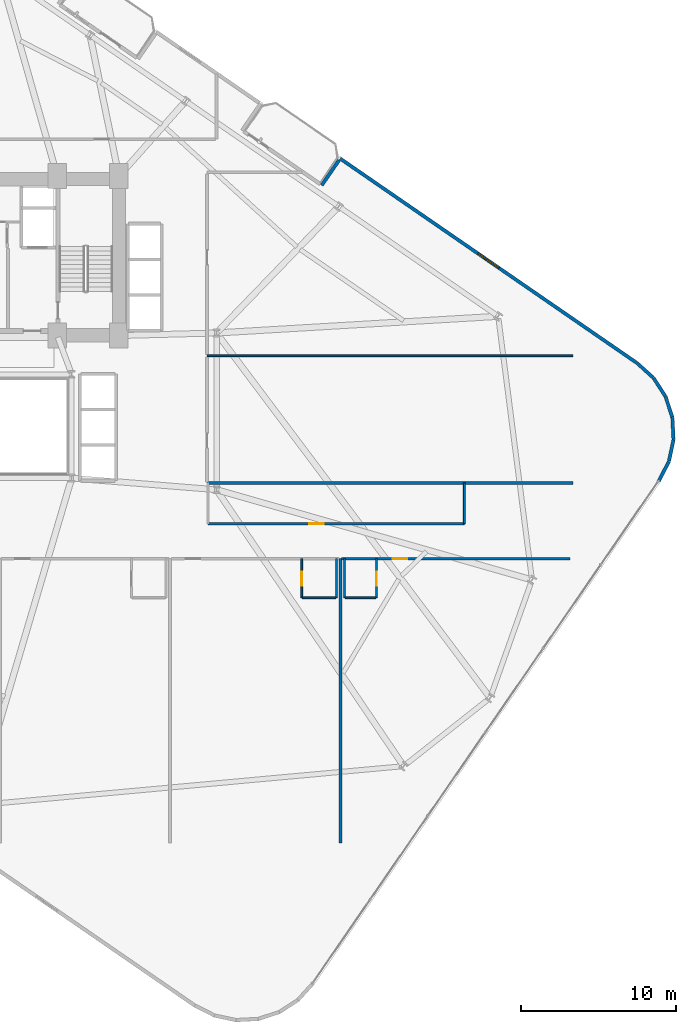
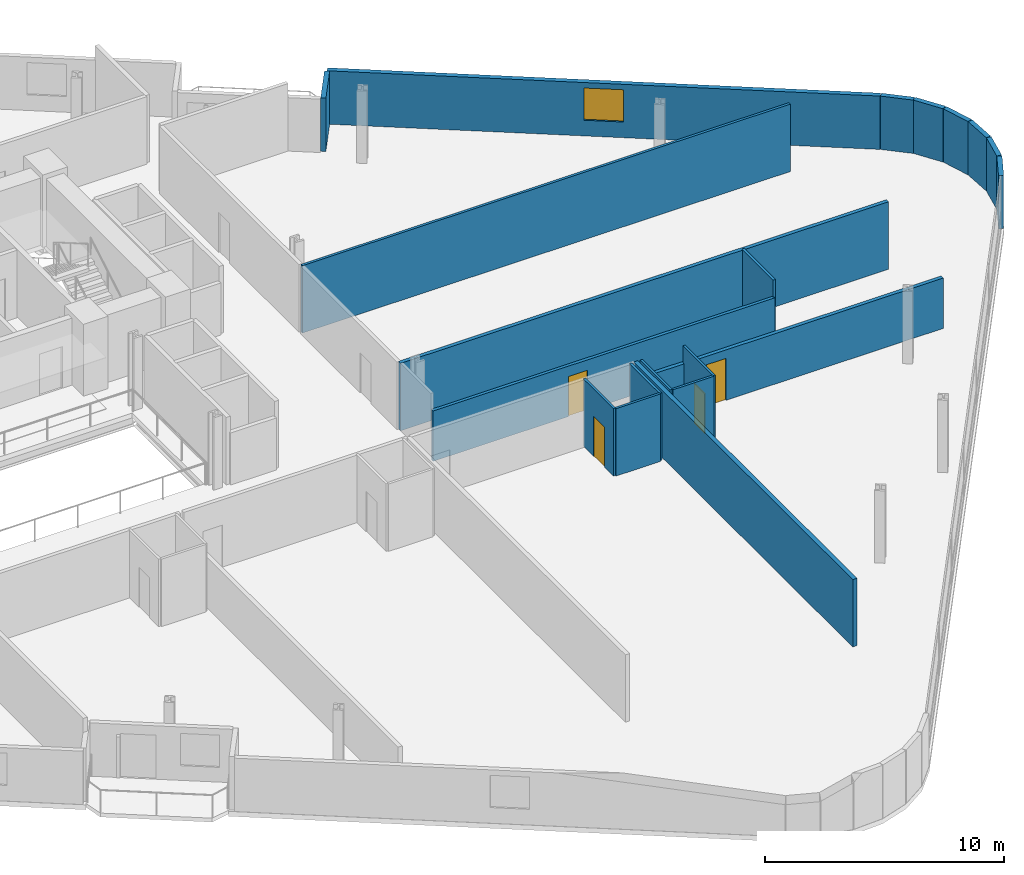
# One storey, part 20 of 24: 20 walls, 4 doors, 1 window, 5 openings.
"""IFC4 building model written with IfcOpenShell, lengths in metres."""

from ifc_helpers import new_model, si_unit, direction, frame, frame_2d, origin, place, context, subcontext, project, spatial, rectangle, extrude, material, layer, layer_set, type_object, element, fill, save


model = new_model("IFC4")

# Units and contexts
model_context = context("Model", 3, precision=1e-05, world=origin(), true_north=direction((0.0, 1.0)))
body_context = subcontext(model_context, "Body", "Model", "MODEL_VIEW")
ifc_project = project(units=[si_unit("LENGTHUNIT", "METRE"), si_unit("AREAUNIT", "SQUARE_METRE"), si_unit("VOLUMEUNIT", "CUBIC_METRE"), si_unit("PLANEANGLEUNIT", "RADIAN"), si_unit("MASSUNIT", "GRAM", prefix="KILO")], contexts=[model_context])

# Site, building, storey
site_placement = place(None, origin())
site = spatial("IfcSite", under=ifc_project, at=site_placement, CompositionType="ELEMENT")
building_placement = place(site_placement, origin())
building = spatial("IfcBuilding", under=site, at=building_placement, Name="Varnelok Gate Tower", CompositionType="ELEMENT")
storey_placement = place(building_placement, frame((0.0, 0.0, 38.10009765625)))
storey = spatial("IfcBuildingStorey", under=building, at=storey_placement, Name="L08", CompositionType="ELEMENT", Elevation=38.10009765625)

# Walls
ifc_material_1 = material(Name="Concrete C45/55", Category="concrete")
ifc_layer_1 = layer(ifc_material_1, 0.219970703125)
ifc_layer_set_1 = layer_set([ifc_layer_1], Name="Concrete C45/55")
wall_type_1 = type_object("IfcWallType", Name="EW-BALC-220", PredefinedType="SOLIDWALL", material=ifc_layer_set_1)
wall_1_placement = place(storey_placement, frame((82.55810546875, 19.355224609375, 0.0), z_axis=(0.0, 0.0, 1.0), x_axis=(0.454777156549, 0.890605264908, 0.0)))
element("IfcWall", 1, at=wall_1_placement, inside=storey, type_object=wall_type_1, Name="L08 Perimeter Facade Closure Wall 20", PredefinedType="SOLIDWALL", context=body_context, shape_type="SweptSolid", body=[
    extrude(rectangle(XDim=1.43017578125, YDim=0.219970703125, at=frame_2d((0.715087890625, 0.0))), origin(), (0.0, 0.0, 1.0), 2.72998046875),
])
wall_2_placement = place(storey_placement, frame((83.2138671875, 20.653564453125, 0.0), z_axis=(0.0, 0.0, 1.0), x_axis=(0.208829011645, 0.977952168511, 0.0)))
element("IfcWall", 2, at=wall_2_placement, inside=storey, type_object=wall_type_1, Name="L08 Perimeter Facade Closure Wall 21", PredefinedType="SOLIDWALL", context=body_context, shape_type="SweptSolid", body=[
    extrude(rectangle(XDim=1.4052734375, YDim=0.219970703125, at=frame_2d((0.70263671875, 0.0))), origin(), (0.0, 0.0, 1.0), 2.72998046875),
])
wall_3_placement = place(storey_placement, frame((83.506103515625, 22.052734375, 0.0), z_axis=(0.0, 0.0, 1.0), x_axis=(-0.051245849735, 0.998686068234, 0.0)))
element("IfcWall", 3, at=wall_3_placement, inside=storey, type_object=wall_type_1, Name="L08 Perimeter Facade Closure Wall 22", PredefinedType="SOLIDWALL", context=body_context, shape_type="SweptSolid", body=[
    extrude(rectangle(XDim=1.405517578125, YDim=0.219970703125, at=frame_2d((0.70263671875, 0.0))), origin(), (0.0, 0.0, 1.0), 2.72998046875),
])
for number, where, z_axis, x_axis, name in (
    (4, (83.426513671875, 23.47998046875, 0.0), (0.0, 0.0, 1.0), (-0.308033059501, 0.951375653596, 0.0), "L08 Perimeter Facade Closure Wall 23"),
    (5, (82.97998046875, 24.837890625, 0.0), (0.0, 0.0, 1.0), (-0.543748195851, 0.839248413468, 0.0), "L08 Perimeter Facade Closure Wall 24"),
):
    element("IfcWall", number, at=place(storey_placement, frame(where, z_axis=z_axis, x_axis=x_axis)), inside=storey, type_object=wall_type_1, Name=name, PredefinedType="SOLIDWALL", context=body_context, shape_type="SweptSolid", body=[
        extrude(rectangle(XDim=1.4052734375, YDim=0.219970703125, at=frame_2d((0.70263671875, 0.0))), origin(), (0.0, 0.0, 1.0), 2.72998046875),
    ])
wall_4_placement = place(storey_placement, frame((82.197265625, 26.033935546875, 0.0), z_axis=(0.0, 0.0, 1.0), x_axis=(-0.742374254638, 0.669985422268, 0.0)))
element("IfcWall", 6, at=wall_4_placement, inside=storey, type_object=wall_type_1, Name="L08 Perimeter Facade Closure Wall 25", PredefinedType="SOLIDWALL", context=body_context, shape_type="SweptSolid", body=[
    extrude(rectangle(XDim=1.4130859375, YDim=0.219970703125, at=frame_2d((0.70654296875, 0.0))), origin(), (0.0, 0.0, 1.0), 2.72998046875),
])

# Wall, opening, window
wall_5_placement = place(storey_placement, frame((81.12744140625, 26.994873046875, 0.0), z_axis=(0.0, 0.0, 1.0), x_axis=(-0.823530169317, 0.567272474411, 0.0)))
wall_5 = element("IfcWall", 7, at=wall_5_placement, inside=storey, type_object=wall_type_1, Name="L08 Perimeter Facade Closure Wall 26", PredefinedType="SOLIDWALL", context=body_context, shape_type="SweptSolid", body=[
    extrude(rectangle(XDim=23.247314453125, YDim=0.219970703125, at=frame_2d((11.62353515625, 0.0))), origin(), (0.0, 0.0, 1.0), 2.72998046875),
])
opening_1_placement = place(wall_5_placement, frame((10.798583984375, 0.0, 0.800048828125)))
opening_1 = element("IfcOpeningElement", 8, at=opening_1_placement, cuts=wall_5, Name="Opening WN3", PredefinedType="OPENING", context=body_context, shape_type="SweptSolid", body=[
    extrude(rectangle(XDim=1.64990234375, YDim=1.64990234375, at=frame_2d((0.824951171875, 0.824951171875))), frame((0.0, 0.119873046875, 0.0), z_axis=(0.0, -1.0, 0.0), x_axis=(1.0, 0.0, 0.0)), (0.0, 0.0, 1.0), 0.239990234375),
])
ifc_material_2 = material(Name="Low-E Laminated Double Glazing IGU", Category="glass")
window_type = type_object("IfcWindowType", Name="WN-HTL-1650", PartitioningType="SINGLE_PANEL", PredefinedType="WINDOW", material=ifc_material_2)
window_placement = place(opening_1_placement, origin())
window = element("IfcWindow", 9, at=window_placement, inside=storey, type_object=window_type, Name="L08 Perimeter Vision Window 26", OverallHeight=1.64990234375, OverallWidth=1.64990234375, PartitioningType="SINGLE_PANEL", PredefinedType="WINDOW", context=body_context, shape_type="SweptSolid", body=[
    extrude(rectangle(XDim=1.64990234375, YDim=1.64990234375, at=frame_2d((0.824951171875, 0.824951171875))), frame((0.0, 0.030029296875, 0.0), z_axis=(0.0, -1.0, 0.0), x_axis=(1.0, 0.0, 0.0)), (0.0, 0.0, 1.0), 0.06005859375),
])
fill(opening_1, window)

# Wall
wall_6_placement = place(storey_placement, frame((61.91162109375, 40.079345703125, 0.0), z_axis=(0.0, 0.0, 1.0), x_axis=(-0.567189720735, -0.82358716642, 0.0)))
element("IfcWall", 10, at=wall_6_placement, inside=storey, type_object=wall_type_1, Name="L08 Perimeter Facade Closure Wall 27", PredefinedType="SOLIDWALL", context=body_context, shape_type="SweptSolid", body=[
    extrude(rectangle(XDim=1.974853515625, YDim=0.219970703125, at=frame_2d((0.9873046875, 0.0))), origin(), (0.0, 0.0, 1.0), 2.72998046875),
])

# Wall, opening, door
ifc_material_3 = material(Name="Gypsum Plasterboard Acoustic Partition", Category="gypsum")
ifc_layer_2 = layer(ifc_material_3, 0.179931640625)
ifc_layer_set_2 = layer_set([ifc_layer_2], Name="Gypsum Plasterboard Acoustic Partition")
wall_type_2 = type_object("IfcWallType", Name="PW-CORR-180", PredefinedType="PARTITIONING", material=ifc_layer_set_2)
wall_7_placement = place(storey_placement, frame((62.080078125, 14.35009765625, 0.0), z_axis=(0.0, 0.0, 1.0), x_axis=(1.0, 0.0, 0.0)))
wall_7 = element("IfcWall", 11, at=wall_7_placement, inside=storey, type_object=wall_type_2, Name="Interior Partition", PredefinedType="PARTITIONING", context=body_context, shape_type="SweptSolid", body=[
    extrude(rectangle(XDim=14.739990234375, YDim=0.179931640625, at=frame_2d((7.3701171875, 0.0))), origin(), (0.0, 0.0, 1.0), 2.579833984375),
])
opening_2_placement = place(wall_7_placement, frame((3.283935546875, 0.0, 0.0)))
opening_2 = element("IfcOpeningElement", 12, at=opening_2_placement, cuts=wall_7, Name="Opening D-HT", PredefinedType="OPENING", context=body_context, shape_type="SweptSolid", body=[
    extrude(rectangle(XDim=0.949951171875, YDim=2.14990234375, at=frame_2d((0.47509765625, 1.074951171875))), frame((0.0, 0.099853515625, 0.0), z_axis=(0.0, -1.0, 0.0), x_axis=(1.0, 0.0, 0.0)), (0.0, 0.0, 1.0), 0.199951171875),
])
ifc_material_4 = material(Name="Engineered Hardwood Timber", Category="wood")
door_type_1 = type_object("IfcDoorType", Name="DR-HTL-950", OperationType="NOTDEFINED", PredefinedType="DOOR", material=ifc_material_4)
door_1_placement = place(opening_2_placement, origin())
door_1 = element("IfcDoor", 13, at=door_1_placement, inside=storey, type_object=door_type_1, Name="L08 Guest Room 06 Entrance Door", OperationType="SINGLE_SWING_LEFT", OverallHeight=2.14990234375, OverallWidth=0.949951171875, PredefinedType="DOOR", context=body_context, shape_type="SweptSolid", body=[
    extrude(rectangle(XDim=0.949951171875, YDim=2.14990234375, at=frame_2d((0.47509765625, 1.074951171875))), frame((0.0, 0.02490234375, 0.0), z_axis=(0.0, -1.0, 0.0), x_axis=(1.0, 0.0, 0.0)), (0.0, 0.0, 1.0), 0.050048828125),
])
fill(opening_2, door_1)

# Walls
wall_8_placement = place(storey_placement, frame((53.389892578125, 19.239990234375, 0.0), z_axis=(0.0, 0.0, 1.0), x_axis=(1.0, 0.0, 0.0)))
element("IfcWall", 14, at=wall_8_placement, inside=storey, type_object=wall_type_2, Name="Interior Partition", PredefinedType="PARTITIONING", context=body_context, shape_type="SweptSolid", body=[
    extrude(rectangle(XDim=23.610107421875, YDim=0.179931640625, at=frame_2d((11.80517578125, 0.0))), origin(), (0.0, 0.0, 1.0), 3.449951171875),
])
ifc_layer_3 = layer(ifc_material_3, 0.114990234375)
ifc_layer_set_3 = layer_set([ifc_layer_3], Name="Gypsum Plasterboard Acoustic Partition")
wall_type_3 = type_object("IfcWallType", Name="PW-ENS-125", PredefinedType="PARTITIONING", material=ifc_layer_set_3)
wall_9_placement = place(storey_placement, frame((59.550048828125, 11.830078125, 0.0), z_axis=(0.0, 0.0, 1.0), x_axis=(1.0, 0.0, 0.0)))
element("IfcWall", 15, at=wall_9_placement, inside=storey, type_object=wall_type_3, Name="Interior Partition", PredefinedType="PARTITIONING", context=body_context, shape_type="SweptSolid", body=[
    extrude(rectangle(XDim=2.14990234375, YDim=0.114990234375, at=frame_2d((1.074951171875, 0.0))), origin(), (0.0, 0.0, 1.0), 3.449951171875),
])

# Wall, opening, door
wall_10_placement = place(storey_placement, frame((59.510009765625, 11.830078125, 0.0), z_axis=(0.0, 0.0, 1.0), x_axis=(0.0, 1.0, 0.0)))
wall_10 = element("IfcWall", 16, at=wall_10_placement, inside=storey, type_object=wall_type_3, Name="Interior Partition", PredefinedType="PARTITIONING", context=body_context, shape_type="SweptSolid", body=[
    extrude(rectangle(XDim=2.52001953125, YDim=0.114990234375, at=frame_2d((1.260009765625, 0.0))), origin(), (0.0, 0.0, 1.0), 3.449951171875),
])
opening_3_placement = place(wall_10_placement, frame((0.760009765625, 0.0, 0.0)))
opening_3 = element("IfcOpeningElement", 17, at=opening_3_placement, cuts=wall_10, Name="Opening D-WC", PredefinedType="OPENING", context=body_context, shape_type="SweptSolid", body=[
    extrude(rectangle(XDim=0.89990234375, YDim=2.050048828125, at=frame_2d((0.449951171875, 1.02490234375))), frame((0.0, 0.0673828125, 0.0), z_axis=(0.0, -1.0, 0.0), x_axis=(1.0, 0.0, 0.0)), (0.0, 0.0, 1.0), 0.135009765625),
])
door_type_2 = type_object("IfcDoorType", Name="DR-BATH-900", OperationType="NOTDEFINED", PredefinedType="DOOR", material=ifc_material_4)
door_2_placement = place(opening_3_placement, origin())
door_2 = element("IfcDoor", 18, at=door_2_placement, inside=storey, type_object=door_type_2, Name="L08 Guest En-Suite 05 Door", OperationType="SINGLE_SWING_RIGHT", OverallHeight=2.050048828125, OverallWidth=0.89990234375, PredefinedType="DOOR", context=body_context, shape_type="SweptSolid", body=[
    extrude(rectangle(XDim=0.89990234375, YDim=2.050048828125, at=frame_2d((0.449951171875, 1.02490234375))), frame((0.0, 0.02490234375, 0.0), z_axis=(0.0, -1.0, 0.0), x_axis=(1.0, 0.0, 0.0)), (0.0, 0.0, 1.0), 0.050048828125),
])
fill(opening_3, door_2)

# Walls
wall_11_placement = place(storey_placement, frame((61.739990234375, 11.830078125, 0.0), z_axis=(0.0, 0.0, 1.0), x_axis=(0.0, 1.0, 0.0)))
element("IfcWall", 19, at=wall_11_placement, inside=storey, type_object=wall_type_3, Name="Interior Partition", PredefinedType="PARTITIONING", context=body_context, shape_type="SweptSolid", body=[
    extrude(rectangle(XDim=2.52001953125, YDim=0.114990234375, at=frame_2d((1.260009765625, 0.0))), origin(), (0.0, 0.0, 1.0), 3.449951171875),
])
wall_12_placement = place(storey_placement, frame((62.300048828125, 11.830078125, 0.0), z_axis=(0.0, 0.0, 1.0), x_axis=(1.0, 0.0, 0.0)))
element("IfcWall", 20, at=wall_12_placement, inside=storey, type_object=wall_type_3, Name="Interior Partition", PredefinedType="PARTITIONING", context=body_context, shape_type="SweptSolid", body=[
    extrude(rectangle(XDim=1.987060546875, YDim=0.114990234375, at=frame_2d((0.99365234375, 0.0))), origin(), (0.0, 0.0, 1.0), 3.449951171875),
])

# Wall, opening, door
wall_13_placement = place(storey_placement, frame((64.3271484375, 11.830078125, 0.0), z_axis=(0.0, 0.0, 1.0), x_axis=(0.0, 1.0, 0.0)))
wall_13 = element("IfcWall", 21, at=wall_13_placement, inside=storey, type_object=wall_type_3, Name="Interior Partition", PredefinedType="PARTITIONING", context=body_context, shape_type="SweptSolid", body=[
    extrude(rectangle(XDim=2.52001953125, YDim=0.114990234375, at=frame_2d((1.260009765625, 0.0))), origin(), (0.0, 0.0, 1.0), 3.449951171875),
])
opening_4_placement = place(wall_13_placement, frame((0.760009765625, 0.0, 0.0)))
opening_4 = element("IfcOpeningElement", 22, at=opening_4_placement, cuts=wall_13, Name="Opening D-WC", PredefinedType="OPENING", context=body_context, shape_type="SweptSolid", body=[
    extrude(rectangle(XDim=0.89990234375, YDim=2.050048828125, at=frame_2d((0.449951171875, 1.02490234375))), frame((0.0, 0.0673828125, 0.0), z_axis=(0.0, -1.0, 0.0), x_axis=(1.0, 0.0, 0.0)), (0.0, 0.0, 1.0), 0.135009765625),
])
door_3_placement = place(opening_4_placement, origin())
door_3 = element("IfcDoor", 23, at=door_3_placement, inside=storey, type_object=door_type_2, Name="L08 Guest En-Suite 06 Door", OperationType="SINGLE_SWING_LEFT", OverallHeight=2.050048828125, OverallWidth=0.89990234375, PredefinedType="DOOR", context=body_context, shape_type="SweptSolid", body=[
    extrude(rectangle(XDim=0.89990234375, YDim=2.050048828125, at=frame_2d((0.449951171875, 1.02490234375))), frame((0.0, 0.02490234375, 0.0), z_axis=(0.0, -1.0, 0.0), x_axis=(1.0, 0.0, 0.0)), (0.0, 0.0, 1.0), 0.050048828125),
])
fill(opening_4, door_3)

# Walls
wall_14_placement = place(storey_placement, frame((62.260009765625, 11.830078125, 0.0), z_axis=(0.0, 0.0, 1.0), x_axis=(0.0, 1.0, 0.0)))
element("IfcWall", 24, at=wall_14_placement, inside=storey, type_object=wall_type_3, Name="Interior Partition", PredefinedType="PARTITIONING", context=body_context, shape_type="SweptSolid", body=[
    extrude(rectangle(XDim=2.52001953125, YDim=0.114990234375, at=frame_2d((1.260009765625, 0.0))), origin(), (0.0, 0.0, 1.0), 3.449951171875),
])
ifc_layer_4 = layer(ifc_material_3, 0.125)
ifc_layer_set_4 = layer_set([ifc_layer_4], Name="Gypsum Plasterboard Acoustic Partition")
wall_type_4 = type_object("IfcWallType", Name="PW-PART-125", PredefinedType="PARTITIONING", material=ifc_layer_set_4)
wall_15_placement = place(storey_placement, frame((70.0, 16.610107421875, 0.0), z_axis=(0.0, 0.0, 1.0), x_axis=(0.0, 1.0, 0.0)))
element("IfcWall", 25, at=wall_15_placement, inside=storey, type_object=wall_type_4, Name="Interior Partition", PredefinedType="PARTITIONING", context=body_context, shape_type="SweptSolid", body=[
    extrude(rectangle(XDim=2.6298828125, YDim=0.125, at=frame_2d((1.31494140625, 0.0))), origin(), (0.0, 0.0, 1.0), 3.449951171875),
])
wall_16_placement = place(storey_placement, frame((53.389892578125, 27.449951171875, 0.0), z_axis=(0.0, 0.0, 1.0), x_axis=(1.0, 0.0, 0.0)))
element("IfcWall", 26, at=wall_16_placement, inside=storey, type_object=wall_type_4, Name="Interior Partition", PredefinedType="PARTITIONING", context=body_context, shape_type="SweptSolid", body=[
    extrude(rectangle(XDim=23.610107421875, YDim=0.125, at=frame_2d((11.80517578125, 0.0))), origin(), (0.0, 0.0, 1.0), 3.449951171875),
])

# Wall, opening, door
ifc_layer_5 = layer(ifc_material_3, 0.14990234375)
ifc_layer_set_5 = layer_set([ifc_layer_5], Name="Gypsum Plasterboard Acoustic Partition")
wall_type_5 = type_object("IfcWallType", Name="PW-PART-150", PredefinedType="PARTITIONING", material=ifc_layer_set_5)
wall_17_placement = place(storey_placement, frame((53.449951171875, 16.610107421875, 0.0), z_axis=(0.0, 0.0, 1.0), x_axis=(1.0, 0.0, 0.0)))
wall_17 = element("IfcWall", 27, at=wall_17_placement, inside=storey, type_object=wall_type_5, Name="Interior Partition", PredefinedType="PARTITIONING", context=body_context, shape_type="SweptSolid", body=[
    extrude(rectangle(XDim=16.550048828125, YDim=0.14990234375, at=frame_2d((8.27490234375, 0.0))), origin(), (0.0, 0.0, 1.0), 2.579833984375),
])
opening_5_placement = place(wall_17_placement, frame((6.547607421875, 0.0, 0.0)))
opening_5 = element("IfcOpeningElement", 28, at=opening_5_placement, cuts=wall_17, Name="Opening D-I3", PredefinedType="OPENING", context=body_context, shape_type="SweptSolid", body=[
    extrude(rectangle(XDim=0.919921875, YDim=2.050048828125, at=frame_2d((0.4599609375, 1.02490234375))), frame((0.0, 0.0849609375, 0.0), z_axis=(0.0, -1.0, 0.0), x_axis=(1.0, 0.0, 0.0)), (0.0, 0.0, 1.0), 0.169921875),
])
door_type_3 = type_object("IfcDoorType", Name="DR-INT-920", OperationType="NOTDEFINED", PredefinedType="DOOR", material=ifc_material_4)
door_4_placement = place(opening_5_placement, origin())
door_4 = element("IfcDoor", 29, at=door_4_placement, inside=storey, type_object=door_type_3, Name="L08 Atrium Room 2 Door", OperationType="SINGLE_SWING_LEFT", OverallHeight=2.050048828125, OverallWidth=0.919921875, PredefinedType="DOOR", context=body_context, shape_type="SweptSolid", body=[
    extrude(rectangle(XDim=0.919921875, YDim=2.050048828125, at=frame_2d((0.4599609375, 1.02490234375))), frame((0.0, 0.02490234375, 0.0), z_axis=(0.0, -1.0, 0.0), x_axis=(1.0, 0.0, 0.0)), (0.0, 0.0, 1.0), 0.050048828125),
])
fill(opening_5, door_4)

# Wall
ifc_layer_6 = layer(ifc_material_3, 0.205078125)
ifc_layer_set_6 = layer_set([ifc_layer_6], Name="Gypsum Plasterboard Acoustic Partition")
wall_type_6 = type_object("IfcWallType", Name="PW-PARTY-200", PredefinedType="PARTITIONING", material=ifc_layer_set_6)
wall_18_placement = place(storey_placement, frame((62.0, -4.0, 0.0), z_axis=(0.0, 0.0, 1.0), x_axis=(0.0, 1.0, 0.0)))
element("IfcWall", 30, at=wall_18_placement, inside=storey, type_object=wall_type_6, Name="L08 South Party Wall 5", PredefinedType="PARTITIONING", context=body_context, shape_type="SweptSolid", body=[
    extrude(rectangle(XDim=18.35009765625, YDim=0.205078125, at=frame_2d((9.175048828125, 0.0))), origin(), (0.0, 0.0, 1.0), 3.449951171875),
])

save(model, "model.ifc")
